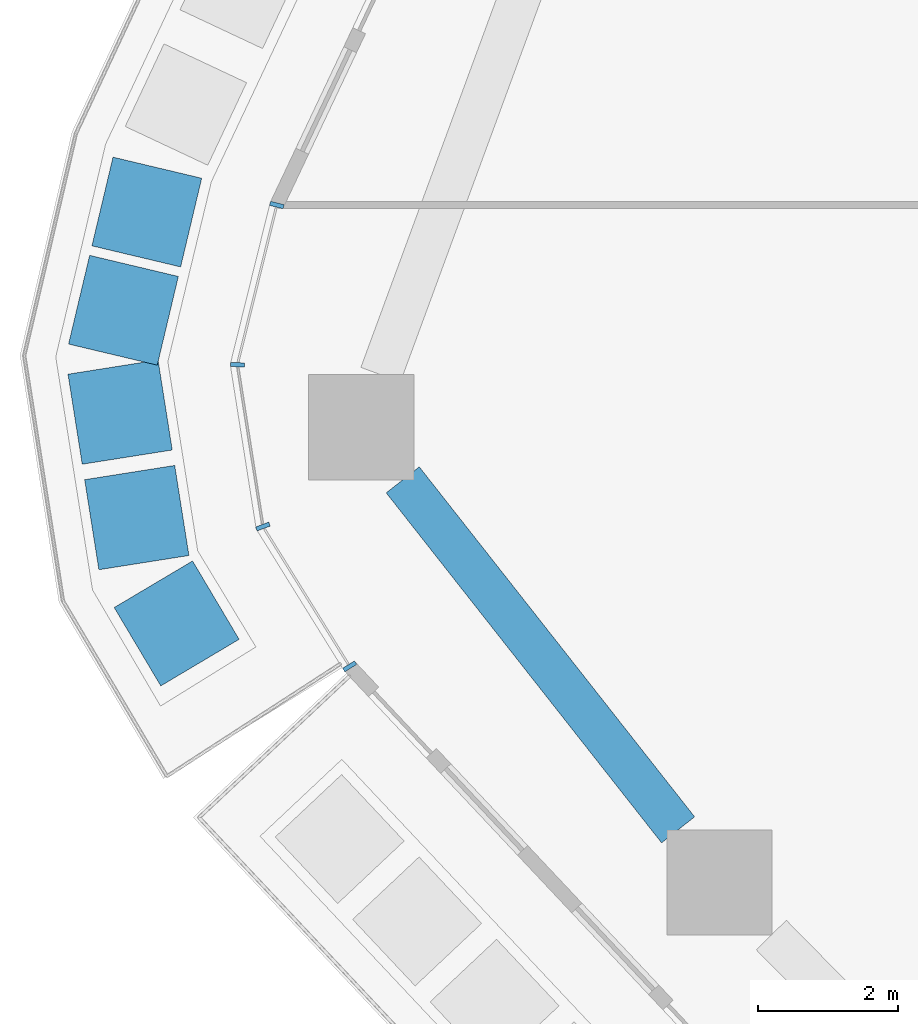
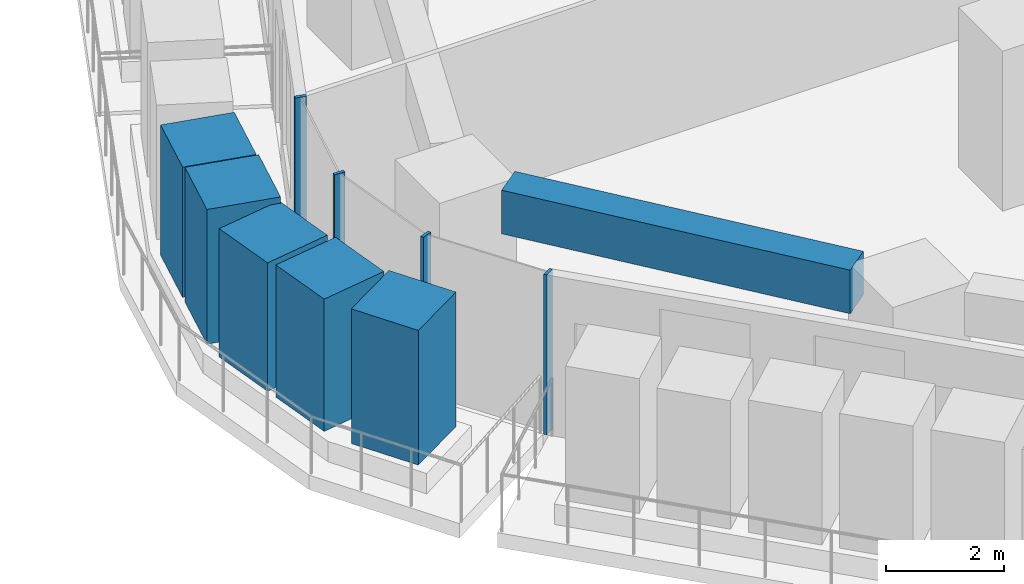
# One storey, part 3 of 25: 9 members, 1 beam, 1 element without a shape of its own.
"""IFC4 building model written with IfcOpenShell, lengths in metres."""

from ifc_helpers import new_model, si_unit, direction, frame, origin, origin_2d, place, context, subcontext, project, spatial, rectangle, extrude, material, layer, layer_set, material_profile, profile_set, type_object, element, aggregate, save


model = new_model("IFC4")

# Units and contexts
model_context = context("Model", 3, precision=1e-05, world=origin(), true_north=direction((0.0, 1.0)))
body_context = subcontext(model_context, "Body", "Model", "MODEL_VIEW")
ifc_project = project(units=[si_unit("LENGTHUNIT", "METRE"), si_unit("AREAUNIT", "SQUARE_METRE"), si_unit("VOLUMEUNIT", "CUBIC_METRE"), si_unit("PLANEANGLEUNIT", "RADIAN"), si_unit("MASSUNIT", "GRAM", prefix="KILO")], contexts=[model_context])

# Site, building, storey
site_placement = place(None, origin())
site = spatial("IfcSite", under=ifc_project, at=site_placement, CompositionType="ELEMENT")
building_placement = place(site_placement, origin())
building = spatial("IfcBuilding", under=site, at=building_placement, Name="Dongbaek Canopy Tower", CompositionType="ELEMENT")
storey_placement = place(building_placement, frame((0.0, 0.0, 81.0)))
storey = spatial("IfcBuildingStorey", under=building, at=storey_placement, Name="L16", CompositionType="ELEMENT", Elevation=81.0)

# Curtain wall, members
ifc_material_1 = material(Name="Aluminium 6063-T6 pale anodised", Category="aluminium")
ifc_layer = layer(ifc_material_1, 0.199951171875)
ifc_layer_set = layer_set([ifc_layer], Name="CW-1 unitised tower curtain wall")
curtain_wall_type = type_object("IfcCurtainWallType", Name="CW-1 unitised tower curtain wall", PredefinedType="NOTDEFINED", material=ifc_layer_set)
curtain_wall_placement = place(storey_placement, origin())
curtain_wall = element("IfcCurtainWall", 1, at=curtain_wall_placement, inside=storey, type_object=curtain_wall_type, Name="CW-1 curtain wall K3.1", PredefinedType="NOTDEFINED")
ifc_material_2 = material(Name="Aluminium 6063-T6 pale anodised", Category="aluminium")
ifc_material_profile_1 = material_profile(ifc_material_2, rectangle(XDim=0.199951171875, YDim=0.06005859375, at=origin_2d()), Name="CW-1 mullion 60 x 200")
ifc_profile_set_1 = profile_set([ifc_material_profile_1], Name="Aluminium 6063-T6 pale anodised")
member_type_1 = type_object("IfcMemberType", Name="CW-1 mullion 60 x 200", PredefinedType="MULLION", material=ifc_profile_set_1)
member_1_placement = place(storey_placement, frame((-38.694091796875, -4.954345703125, 0.0), z_axis=(0.0, 0.0, 1.0), x_axis=(-0.97085301677, 0.239675655478, 0.0)))
member_1 = element("IfcMember", 2, at=member_1_placement, type_object=member_type_1, Name="CW-1 mullion K3.1.1", PredefinedType="MULLION", context=body_context, shape_type="SweptSolid", body=[
    extrude(rectangle(XDim=0.199951171875, YDim=0.06005859375, at=origin_2d()), origin(), (0.0, 0.0, 1.0), 3.300048828125),
])
member_2_placement = place(storey_placement, frame((-39.25634765625, -7.231689453125, 0.0), z_axis=(0.0, 0.0, 1.0), x_axis=(-0.999087775106, 0.042703836285, 0.0)))
member_2 = element("IfcMember", 3, at=member_2_placement, type_object=member_type_1, Name="CW-1 mullion K3.1.2", PredefinedType="MULLION", context=body_context, shape_type="SweptSolid", body=[
    extrude(rectangle(XDim=0.199951171875, YDim=0.06005859375, at=origin_2d()), origin(), (0.0, 0.0, 1.0), 3.300048828125),
])
member_3_placement = place(storey_placement, frame((-38.89208984375, -9.538818359375, 0.0), z_axis=(0.0, 0.0, 1.0), x_axis=(-0.937328736939, -0.348446321415, 0.0)))
member_3 = element("IfcMember", 4, at=member_3_placement, type_object=member_type_1, Name="CW-1 mullion K3.1.3", PredefinedType="MULLION", context=body_context, shape_type="SweptSolid", body=[
    extrude(rectangle(XDim=0.199951171875, YDim=0.06005859375, at=origin_2d()), origin(), (0.0, 0.0, 1.0), 3.300048828125),
])
member_4_placement = place(storey_placement, frame((-37.655517578125, -11.5322265625, 0.0), z_axis=(0.0, 0.0, 1.0), x_axis=(-0.849780295684, -0.527137030635, 0.0)))
member_4 = element("IfcMember", 5, at=member_4_placement, type_object=member_type_1, Name="CW-1 mullion K3.1.4", PredefinedType="MULLION", context=body_context, shape_type="SweptSolid", body=[
    extrude(rectangle(XDim=0.199951171875, YDim=0.06005859375, at=origin_2d()), origin(), (0.0, 0.0, 1.0), 3.300048828125),
])
aggregate(curtain_wall, [member_1, member_2, member_3, member_4])

# Beam
ifc_material_3 = material(Name="Concrete C80", Category="concrete")
ifc_material_profile_2 = material_profile(ifc_material_3, rectangle(XDim=0.60009765625, YDim=0.89990234375, at=origin_2d()), Name="RC EDGE BEAM 600x900 C80")
ifc_profile_set_2 = profile_set([ifc_material_profile_2], Name="Concrete C80")
beam_type = type_object("IfcBeamType", Name="RC EDGE BEAM 600x900 C80", PredefinedType="BEAM", material=ifc_profile_set_2)
beam_placement = place(storey_placement, frame((-32.97216796875, -13.863037109375, 2.85009765625), z_axis=(-0.618386857787, 0.785873841094, 0.0), x_axis=(-0.785873841094, -0.618386857787, 0.0)))
element("IfcBeam", 6, at=beam_placement, inside=storey, type_object=beam_type, Name="EDGEBEAM:L16:07", PredefinedType="BEAM", context=body_context, shape_type="SweptSolid", body=[
    extrude(rectangle(XDim=0.60009765625, YDim=0.89990234375, at=origin_2d()), origin(), (0.0, 0.0, 1.0), 6.349609375),
])

# Members
ifc_material_4 = material(Name="Concrete C40/50 planter mass with planting", Category="concrete")
ifc_material_profile_3 = material_profile(ifc_material_4, rectangle(XDim=1.300048828125, YDim=1.300048828125, at=origin_2d()), Name="Terrace PLANTER shrub mass 1300 x 1300")
ifc_profile_set_3 = profile_set([ifc_material_profile_3], Name="Concrete C40/50 planter mass with planting")
member_type_2 = type_object("IfcMemberType", Name="Terrace PLANTER shrub mass 1300 x 1300", PredefinedType="USERDEFINED", material=ifc_profile_set_3)
member_5_placement = place(storey_placement, frame((-40.54736328125, -5.0546875, 0.419921875), z_axis=(0.0, 0.0, 1.0), x_axis=(-0.972903593789, 0.23121115283, 0.0)))
element("IfcMember", 7, at=member_5_placement, inside=storey, type_object=member_type_2, Name="Planter shrubs L16 6.3", ObjectType="PLANTER", PredefinedType="USERDEFINED", context=body_context, shape_type="SweptSolid", body=[
    extrude(rectangle(XDim=1.300048828125, YDim=1.300048828125, at=origin_2d()), origin(), (0.0, 0.0, 1.0), 2.690185546875),
])
member_6_placement = place(storey_placement, frame((-40.88037109375, -6.455078125, 0.419921875), z_axis=(0.0, 0.0, 1.0), x_axis=(-0.972903593789, 0.23121115283, 0.0)))
element("IfcMember", 8, at=member_6_placement, inside=storey, type_object=member_type_2, Name="Planter shrubs L16 6.4", ObjectType="PLANTER", PredefinedType="USERDEFINED", context=body_context, shape_type="SweptSolid", body=[
    extrude(rectangle(XDim=1.300048828125, YDim=1.300048828125, at=origin_2d()), origin(), (0.0, 0.0, 1.0), 2.780029296875),
])
member_7_placement = place(storey_placement, frame((-40.927978515625, -7.9072265625, 0.419921875), z_axis=(0.0, 0.0, 1.0), x_axis=(-0.987763553943, -0.15595884554, 0.0)))
element("IfcMember", 9, at=member_7_placement, inside=storey, type_object=member_type_2, Name="Planter shrubs L16 6.5", ObjectType="PLANTER", PredefinedType="USERDEFINED", context=body_context, shape_type="SweptSolid", body=[
    extrude(rectangle(XDim=1.300048828125, YDim=1.300048828125, at=origin_2d()), origin(), (0.0, 0.0, 1.0), 2.650146484375),
])
member_8_placement = place(storey_placement, frame((-40.6904296875, -9.4111328125, 0.419921875), z_axis=(0.0, 0.0, 1.0), x_axis=(-0.987763553943, -0.15595884554, 0.0)))
element("IfcMember", 10, at=member_8_placement, inside=storey, type_object=member_type_2, Name="Planter shrubs L16 6.6", ObjectType="PLANTER", PredefinedType="USERDEFINED", context=body_context, shape_type="SweptSolid", body=[
    extrude(rectangle(XDim=1.300048828125, YDim=1.300048828125, at=origin_2d()), origin(), (0.0, 0.0, 1.0), 2.72998046875),
])
member_9_placement = place(storey_placement, frame((-40.121826171875, -10.920166015625, 0.419921875), z_axis=(0.0, 0.0, 1.0), x_axis=(-0.859642672225, -0.510895758535, 0.0)))
element("IfcMember", 11, at=member_9_placement, inside=storey, type_object=member_type_2, Name="Planter shrubs L16 6.7", ObjectType="PLANTER", PredefinedType="USERDEFINED", context=body_context, shape_type="SweptSolid", body=[
    extrude(rectangle(XDim=1.300048828125, YDim=1.300048828125, at=origin_2d()), origin(), (0.0, 0.0, 1.0), 2.780029296875),
])

save(model, "model.ifc")
